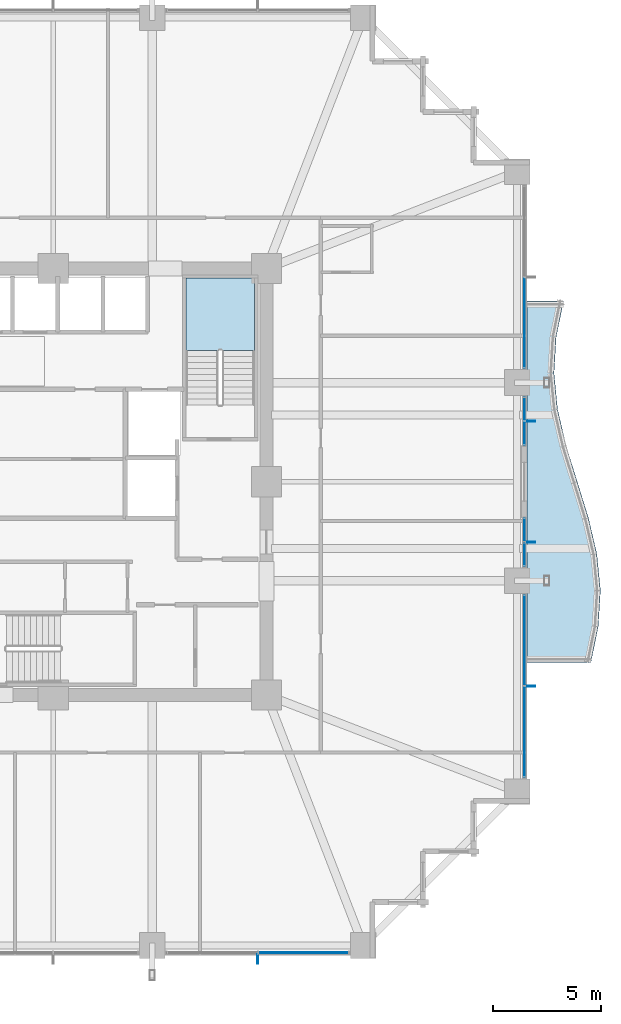
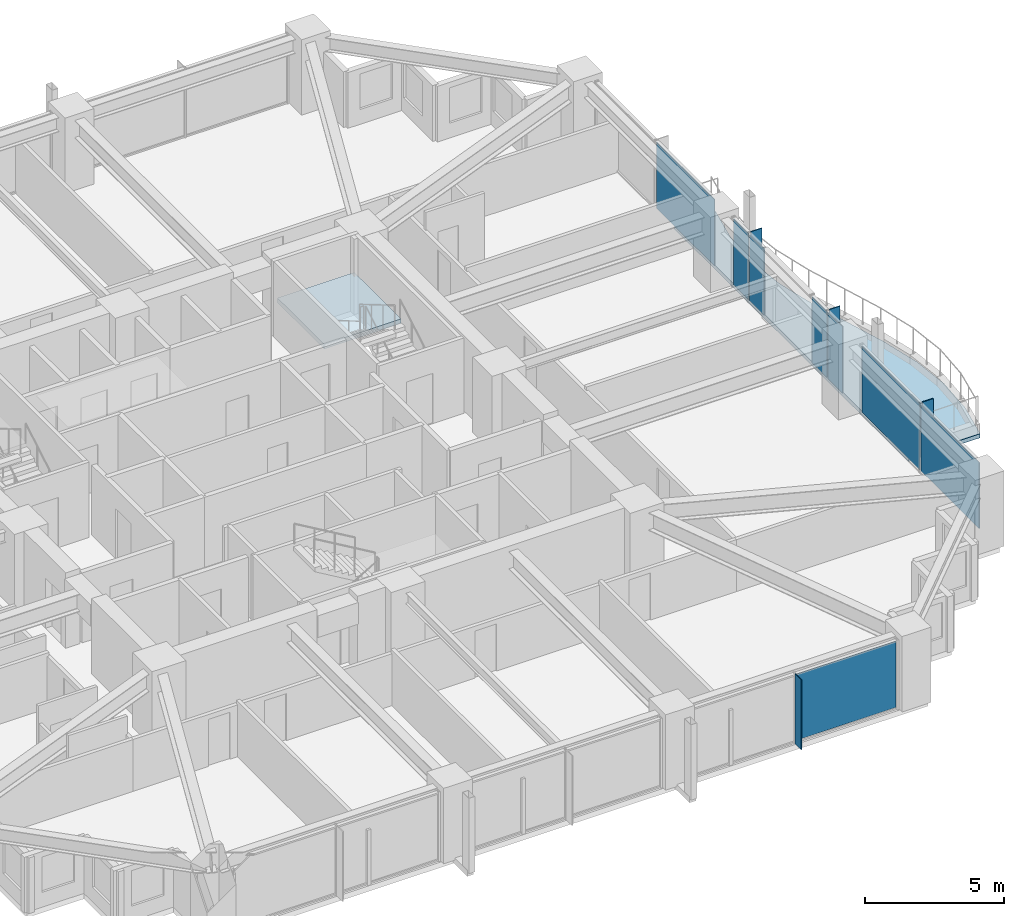
# One storey, part 28 of 36: 12 plates, 2 slabs, 6 elements without a shape of their own.
"""IFC4 building model written with IfcOpenShell, lengths in metres."""

from ifc_helpers import new_model, si_unit, direction, frame, origin, origin_2d, place, context, subcontext, project, spatial, polyline, rectangle, outline, extrude, material, layer, layer_set, type_object, element, aggregate, save


model = new_model("IFC4")

# Units and contexts
model_context = context("Model", 3, precision=1e-05, world=origin(), true_north=direction((0.0, 1.0)))
body_context = subcontext(model_context, "Body", "Model", "MODEL_VIEW")
ifc_project = project(units=[si_unit("LENGTHUNIT", "METRE"), si_unit("AREAUNIT", "SQUARE_METRE"), si_unit("VOLUMEUNIT", "CUBIC_METRE"), si_unit("PLANEANGLEUNIT", "RADIAN"), si_unit("MASSUNIT", "GRAM", prefix="KILO")], contexts=[model_context])

# Site, building, storey
site_placement = place(None, origin())
site = spatial("IfcSite", under=ifc_project, at=site_placement, CompositionType="ELEMENT")
building_placement = place(site_placement, origin())
building = spatial("IfcBuilding", under=site, at=building_placement, Name="Kolvaren Belvedere", CompositionType="ELEMENT")
storey_placement = place(building_placement, frame((0.0, 0.0, 46.89990234375)))
storey = spatial("IfcBuildingStorey", under=building, at=storey_placement, Name="L13", CompositionType="ELEMENT", Elevation=46.89990234375)

# Curtain wall, plate
ifc_material_1 = material(Name="Anodised pale-metal aluminium AA 6063-T6", Category="aluminium")
curtain_wall_type = type_object("IfcCurtainWallType", Name="CW-Z1-LOW", PredefinedType="NOTDEFINED", material=ifc_material_1)
curtain_wall_1_placement = place(storey_placement, origin())
curtain_wall_1 = element("IfcCurtainWall", 1, at=curtain_wall_1_placement, inside=storey, type_object=curtain_wall_type, Name="L13 Unitised Curtain Wall FCW-L13-S-B1", PredefinedType="NOTDEFINED")
ifc_material_2 = material(Name="Low-iron triple insulated glass", Category="glass")
ifc_layer_1 = layer(ifc_material_2, 0.028076171875)
ifc_layer_set_1 = layer_set([ifc_layer_1], Name="Low-iron triple insulated glass")
plate_type_1 = type_object("IfcPlateType", Name="CW-PNL-VIS28", PredefinedType="CURTAIN_PANEL", material=ifc_layer_set_1)
plate_1_placement = place(storey_placement, frame((11.62255859375, -21.8798828125, 0.080078125), z_axis=(0.0, 0.0, 1.0), x_axis=(-1.0, 0.0, 0.0)))
plate_1 = element("IfcPlate", 2, at=plate_1_placement, type_object=plate_type_1, Name="FCW-L13-S-B1 Vision Glazing Panel 1", PredefinedType="CURTAIN_PANEL", context=body_context, shape_type="SweptSolid", body=[
    extrude(rectangle(XDim=4.1650390625, YDim=0.028076171875, at=origin_2d()), origin(), (0.0, 0.0, 1.0), 2.89990234375),
])
aggregate(curtain_wall_1, [plate_1])

curtain_wall_2_placement = place(storey_placement, origin())
curtain_wall_2 = element("IfcCurtainWall", 3, at=curtain_wall_2_placement, inside=storey, type_object=curtain_wall_type, Name="L13 Unitised Curtain Wall FCW-L13-E1-B1", PredefinedType="NOTDEFINED")
plate_2_placement = place(storey_placement, frame((21.8798828125, 7.37744140625, 0.080078125), z_axis=(0.0, 0.0, 1.0), x_axis=(0.0, -1.0, 0.0)))
plate_2 = element("IfcPlate", 4, at=plate_2_placement, type_object=plate_type_1, Name="FCW-L13-E1-B1 Vision Glazing Panel 2", PredefinedType="CURTAIN_PANEL", context=body_context, shape_type="SweptSolid", body=[
    extrude(rectangle(XDim=4.1650390625, YDim=0.028076171875, at=origin_2d()), origin(), (0.0, 0.0, 1.0), 2.89990234375),
])
aggregate(curtain_wall_2, [plate_2])

# Curtain wall, plates
curtain_wall_3_placement = place(storey_placement, origin())
curtain_wall_3 = element("IfcCurtainWall", 5, at=curtain_wall_3_placement, inside=storey, type_object=curtain_wall_type, Name="L13 Unitised Curtain Wall FCW-L13-E1-B2", PredefinedType="NOTDEFINED")
plate_3_placement = place(storey_placement, frame((21.8798828125, 3.37890625, 0.080078125), z_axis=(0.0, 0.0, 1.0), x_axis=(0.0, -1.0, 0.0)))
plate_3 = element("IfcPlate", 6, at=plate_3_placement, type_object=plate_type_1, Name="FCW-L13-E1-B2 Vision Glazing Panel 1", PredefinedType="CURTAIN_PANEL", context=body_context, shape_type="SweptSolid", body=[
    extrude(rectangle(XDim=1.052490234375, YDim=0.028076171875, at=origin_2d()), origin(), (0.0, 0.0, 1.0), 2.89990234375),
])
plate_4_placement = place(storey_placement, frame((21.8798828125, 2.24609375, 0.080078125), z_axis=(0.0, 0.0, 1.0), x_axis=(0.0, -1.0, 0.0)))
plate_4 = element("IfcPlate", 7, at=plate_4_placement, type_object=plate_type_1, Name="FCW-L13-E1-B2 Vision Glazing Panel 2", PredefinedType="CURTAIN_PANEL", context=body_context, shape_type="SweptSolid", body=[
    extrude(rectangle(XDim=1.052490234375, YDim=0.028076171875, at=origin_2d()), origin(), (0.0, 0.0, 1.0), 2.89990234375),
])
aggregate(curtain_wall_3, [plate_3, plate_4])

curtain_wall_4_placement = place(storey_placement, origin())
curtain_wall_4 = element("IfcCurtainWall", 8, at=curtain_wall_4_placement, inside=storey, type_object=curtain_wall_type, Name="L13 Unitised Curtain Wall FCW-L13-E2-B1", PredefinedType="NOTDEFINED")
plate_5_placement = place(storey_placement, frame((21.8798828125, -2.24609375, 0.080078125), z_axis=(0.0, 0.0, 1.0), x_axis=(0.0, -1.0, 0.0)))
plate_5 = element("IfcPlate", 9, at=plate_5_placement, type_object=plate_type_1, Name="FCW-L13-E2-B1 Vision Glazing Panel 1", PredefinedType="CURTAIN_PANEL", context=body_context, shape_type="SweptSolid", body=[
    extrude(rectangle(XDim=1.052490234375, YDim=0.028076171875, at=origin_2d()), origin(), (0.0, 0.0, 1.0), 2.89990234375),
])
plate_6_placement = place(storey_placement, frame((21.8798828125, -3.378662109375, 0.080078125), z_axis=(0.0, 0.0, 1.0), x_axis=(0.0, -1.0, 0.0)))
plate_6 = element("IfcPlate", 10, at=plate_6_placement, type_object=plate_type_1, Name="FCW-L13-E2-B1 Vision Glazing Panel 2", PredefinedType="CURTAIN_PANEL", context=body_context, shape_type="SweptSolid", body=[
    extrude(rectangle(XDim=1.052490234375, YDim=0.028076171875, at=origin_2d()), origin(), (0.0, 0.0, 1.0), 2.89990234375),
])
aggregate(curtain_wall_4, [plate_5, plate_6])

curtain_wall_5_placement = place(storey_placement, origin())
curtain_wall_5 = element("IfcCurtainWall", 11, at=curtain_wall_5_placement, inside=storey, type_object=curtain_wall_type, Name="L13 Unitised Curtain Wall FCW-L13-E2-B2", PredefinedType="NOTDEFINED")
plate_7_placement = place(storey_placement, frame((21.8798828125, -7.37744140625, 0.080078125), z_axis=(0.0, 0.0, 1.0), x_axis=(0.0, -1.0, 0.0)))
plate_7 = element("IfcPlate", 12, at=plate_7_placement, type_object=plate_type_1, Name="FCW-L13-E2-B2 Vision Glazing Panel 1", PredefinedType="CURTAIN_PANEL", context=body_context, shape_type="SweptSolid", body=[
    extrude(rectangle(XDim=4.1650390625, YDim=0.028076171875, at=origin_2d()), origin(), (0.0, 0.0, 1.0), 2.89990234375),
])
plate_8_placement = place(storey_placement, frame((21.8798828125, -11.62255859375, 0.080078125), z_axis=(0.0, 0.0, 1.0), x_axis=(0.0, -1.0, 0.0)))
plate_8 = element("IfcPlate", 13, at=plate_8_placement, type_object=plate_type_1, Name="FCW-L13-E2-B2 Vision Glazing Panel 2", PredefinedType="CURTAIN_PANEL", context=body_context, shape_type="SweptSolid", body=[
    extrude(rectangle(XDim=4.1650390625, YDim=0.028076171875, at=origin_2d()), origin(), (0.0, 0.0, 1.0), 2.89990234375),
])
aggregate(curtain_wall_5, [plate_7, plate_8])

# Plates
ifc_material_3 = material(Name="Anodised pale-metal aluminium AA 6063-T6", Category="aluminium")
ifc_layer_2 = layer(ifc_material_3, 0.0380859375)
ifc_layer_set_2 = layer_set([ifc_layer_2], Name="Anodised pale-metal aluminium AA 6063-T6")
plate_type_2 = type_object("IfcPlateType", Name="FIN-VERT-450", PredefinedType="USERDEFINED", material=ifc_layer_set_2)
for number, where, z_axis, x_axis, name in (
    (14, (9.5, -22.1650390625, 0.0), (0.0, 0.0, 1.0), (0.0, 1.0, 0.0), "L13 Pale-Metal Vertical Shading Fin FCW-L13-S-B1-1"),
    (15, (22.1650390625, 2.8125, 0.0), (0.0, 0.0, 1.0), (1.0, 0.0, 0.0), "L13 Pale-Metal Vertical Shading Fin FCW-L13-E1-B2-1"),
    (16, (22.1650390625, -2.8125, 0.0), (0.0, 0.0, 1.0), (1.0, 0.0, 0.0), "L13 Pale-Metal Vertical Shading Fin FCW-L13-E2-B1-1"),
    (17, (22.1650390625, -9.5, 0.0), (0.0, 0.0, 1.0), (1.0, 0.0, 0.0), "L13 Pale-Metal Vertical Shading Fin FCW-L13-E2-B2-1"),
):
    element("IfcPlate", number, at=place(storey_placement, frame(where, z_axis=z_axis, x_axis=x_axis)), inside=storey, type_object=plate_type_2, Name=name, ObjectType="VERTICAL FIN", PredefinedType="USERDEFINED", context=body_context, shape_type="SweptSolid", body=[
        extrude(rectangle(XDim=0.449951171875, YDim=0.0380859375, at=origin_2d()), origin(), (0.0, 0.0, 1.0), 3.06005859375),
    ])

# Slab
ifc_material_4 = material(Name="Concrete C50/60", Category="concrete")
ifc_layer_3 = layer(ifc_material_4, 0.179931640625)
ifc_layer_set_3 = layer_set([ifc_layer_3], Name="Concrete C50/60")
slab_type_1 = type_object("IfcSlabType", Name="SL-BAL-180", PredefinedType="FLOOR", material=ifc_layer_set_3)
slab_1_placement = place(storey_placement, frame((0.0, 0.0, -0.239990234375)))
element("IfcSlab", 18, at=slab_1_placement, inside=storey, type_object=slab_type_1, Name="L13 Planted Balcony BAL-E", PredefinedType="FLOOR", context=body_context, shape_type="SweptSolid", body=[
    extrude(outline(polyline([(24.974853515625, -8.39990234375), (25.317138671875, -6.719970703125), (25.419921875, -5.0400390625), (25.251953125, -3.360107421875), (24.8603515625, -1.679931640625), (24.340087890625, 0.0), (23.819580078125, 1.679931640625), (23.427978515625, 3.360107421875), (23.26220703125, 5.0400390625), (23.36279296875, 6.719970703125), (23.705078125, 8.39990234375), (22.0, 8.39990234375), (22.0, 6.719970703125), (22.0, 5.0400390625), (22.0, 3.360107421875), (22.0, 1.679931640625), (22.0, 0.0), (22.0, -1.679931640625), (22.0, -3.360107421875), (22.0, -5.0400390625), (22.0, -6.719970703125), (22.0, -8.39990234375), (24.974853515625, -8.39990234375)])), origin(), (0.0, 0.0, 1.0), 0.18017578125),
])

# Stair, slab
ifc_material_5 = material(Name="Concrete C50/60", Category="concrete")
stair_type = type_object("IfcStairType", Name="ST-CORE-1520", PredefinedType="HALF_TURN_STAIR", material=ifc_material_5)
stair_placement = place(storey_placement, origin())
stair = element("IfcStair", 19, at=stair_placement, inside=storey, type_object=stair_type, Name="L13 Protected Exit Stair ST-2", PredefinedType="HALF_TURN_STAIR")
ifc_material_6 = material(Name="Concrete C50/60", Category="concrete")
ifc_layer_4 = layer(ifc_material_6, 0.260009765625)
ifc_layer_set_4 = layer_set([ifc_layer_4], Name="Concrete C50/60")
slab_type_2 = type_object("IfcSlabType", Name="SL-LAND-260", PredefinedType="LANDING", material=ifc_layer_set_4)
slab_2_placement = place(storey_placement, frame((0.0, 0.0, 1.4501953125)))
slab_2 = element("IfcSlab", 20, at=slab_2_placement, type_object=slab_type_2, Name="ST-2 landing 1", PredefinedType="LANDING", context=body_context, shape_type="SweptSolid", body=[
    extrude(outline(polyline([(9.35009765625, 6.090087890625), (9.35009765625, 9.449951171875), (6.159912109375, 9.449951171875), (6.159912109375, 6.090087890625), (9.35009765625, 6.090087890625)])), origin(), (0.0, 0.0, 1.0), 0.199951171875),
])
aggregate(stair, [slab_2])

save(model, "model.ifc")
